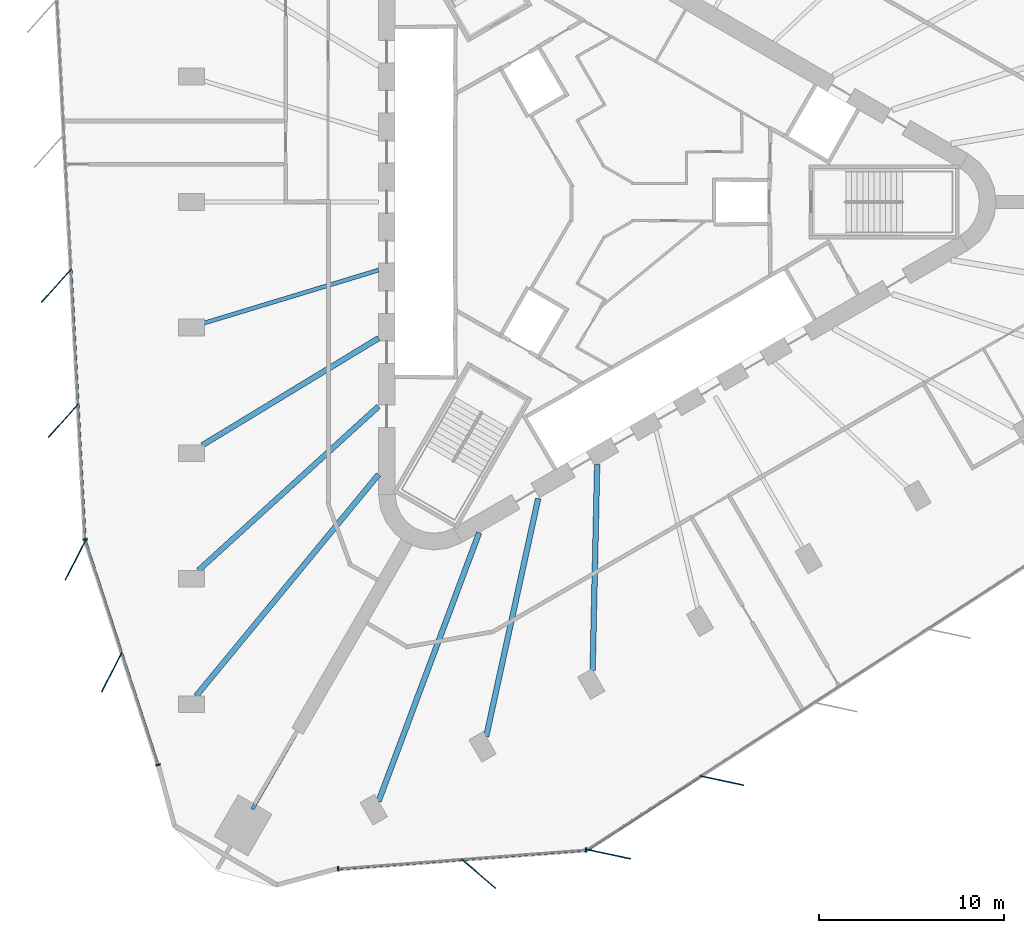
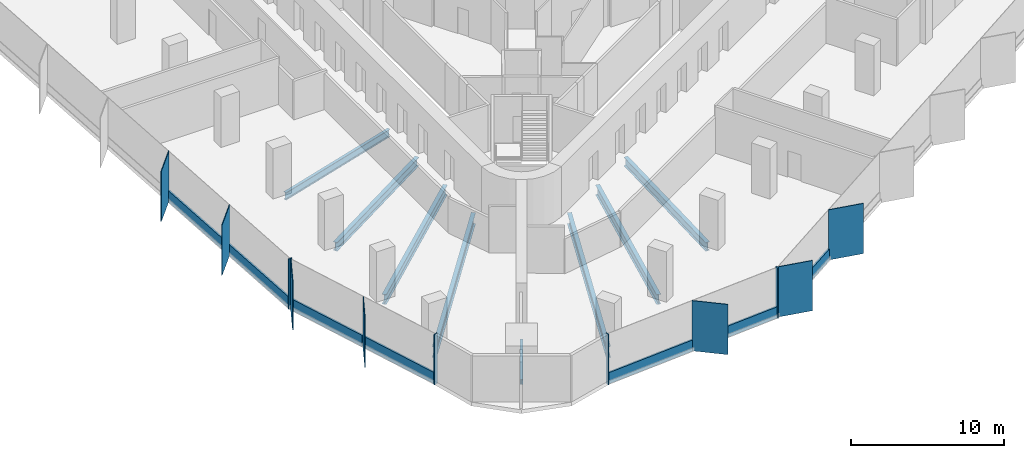
# One storey, part 2 of 14: 18 members, 8 beams, 4 elements without a shape of their own.
"""IFC4 building model written with IfcOpenShell, lengths in metres."""

from ifc_helpers import new_model, si_unit, direction, frame, origin, origin_2d, place, context, subcontext, project, spatial, rectangle, i_section, extrude, material, material_profile, profile_set, type_object, element, aggregate, save


model = new_model("IFC4")

# Units and contexts
model_context = context("Model", 3, precision=1e-05, world=origin(), true_north=direction((0.0, 1.0)))
body_context = subcontext(model_context, "Body", "Model", "MODEL_VIEW")
ifc_project = project(units=[si_unit("LENGTHUNIT", "METRE"), si_unit("AREAUNIT", "SQUARE_METRE"), si_unit("VOLUMEUNIT", "CUBIC_METRE"), si_unit("PLANEANGLEUNIT", "RADIAN"), si_unit("MASSUNIT", "GRAM", prefix="KILO")], contexts=[model_context])

# Site, building, storey
site_placement = place(None, origin())
site = spatial("IfcSite", under=ifc_project, at=site_placement, CompositionType="ELEMENT")
building_placement = place(site_placement, origin())
building = spatial("IfcBuilding", under=site, at=building_placement, Name="Tanit Gate Tower", CompositionType="ELEMENT")
storey_placement = place(building_placement, frame((0.0, 0.0, 205.199951171875)))
storey = spatial("IfcBuildingStorey", under=building, at=storey_placement, Name="L45", CompositionType="ELEMENT", Elevation=205.199951171875)

# Curtain wall, members
ifc_material_1 = material(Name="Aluminium bronze anodised and glass", Category="aluminium")
curtain_wall_type = type_object("IfcCurtainWallType", Name="Curtain wall typical mid", PredefinedType="NOTDEFINED", material=ifc_material_1)
curtain_wall_1_placement = place(storey_placement, origin())
curtain_wall_1 = element("IfcCurtainWall", 1, at=curtain_wall_1_placement, inside=storey, type_object=curtain_wall_type, Name="Curtain wall L45 W2", PredefinedType="NOTDEFINED")
ifc_material_2 = material(Name="Aluminium bronze anodised", Category="aluminium")
ifc_material_profile_1 = material_profile(ifc_material_2, rectangle(XDim=2.39990234375, YDim=0.055908203125, at=origin_2d()), Name="56x2400 bronze fin mullion")
ifc_profile_set_1 = profile_set([ifc_material_profile_1], Name="Aluminium bronze anodised")
member_type_1 = type_object("IfcMemberType", Name="FIN MULLION 56x2400 bronze", PredefinedType="MULLION", material=ifc_profile_set_1)
member_1_placement = place(storey_placement, frame((-29.47216796875, -4.514892578125, -0.300048828125), z_axis=(0.0, 0.0, 1.0), x_axis=(0.669378375715, 0.742921658135, 0.0)))
member_1 = element("IfcMember", 2, at=member_1_placement, type_object=member_type_1, Name="Fin mullion L45 W2.4", PredefinedType="MULLION", context=body_context, shape_type="SweptSolid", body=[
    extrude(rectangle(XDim=2.39990234375, YDim=0.055908203125, at=origin_2d()), origin(), (0.0, 0.0, 1.0), 4.0),
])
member_2_placement = place(storey_placement, frame((-29.09326171875, -11.791015625, -0.300048828125), z_axis=(0.0, 0.0, 1.0), x_axis=(0.669378375715, 0.742921658135, 0.0)))
member_2 = element("IfcMember", 3, at=member_2_placement, type_object=member_type_1, Name="Fin mullion L45 W2.5", PredefinedType="MULLION", context=body_context, shape_type="SweptSolid", body=[
    extrude(rectangle(XDim=2.39990234375, YDim=0.055908203125, at=origin_2d()), origin(), (0.0, 0.0, 1.0), 4.0),
])

curtain_wall_2_placement = place(storey_placement, origin())
curtain_wall_2 = element("IfcCurtainWall", 4, at=curtain_wall_2_placement, inside=storey, type_object=curtain_wall_type, Name="Curtain wall L45 W3", PredefinedType="NOTDEFINED")
member_3_placement = place(storey_placement, frame((-28.44677734375, -19.319091796875, -0.300048828125), z_axis=(0.0, 0.0, 1.0), x_axis=(0.454550571501, 0.890720931576, 0.0)))
member_3 = element("IfcMember", 5, at=member_3_placement, type_object=member_type_1, Name="Fin mullion L45 W3.1", PredefinedType="MULLION", context=body_context, shape_type="SweptSolid", body=[
    extrude(rectangle(XDim=2.39990234375, YDim=0.055908203125, at=origin_2d()), origin(), (0.0, 0.0, 1.0), 4.0),
])
member_4_placement = place(storey_placement, frame((-26.488525390625, -25.359375, -0.300048828125), z_axis=(0.0, 0.0, 1.0), x_axis=(0.454550571501, 0.890720931576, 0.0)))
member_4 = element("IfcMember", 6, at=member_4_placement, type_object=member_type_1, Name="Fin mullion L45 W3.2", PredefinedType="MULLION", context=body_context, shape_type="SweptSolid", body=[
    extrude(rectangle(XDim=2.39990234375, YDim=0.055908203125, at=origin_2d()), origin(), (0.0, 0.0, 1.0), 4.0),
])

# Curtain wall, member
curtain_wall_3_placement = place(storey_placement, origin())
curtain_wall_3 = element("IfcCurtainWall", 7, at=curtain_wall_3_placement, inside=storey, type_object=curtain_wall_type, Name="Curtain wall L45 SE1", PredefinedType="NOTDEFINED")
member_5_placement = place(storey_placement, frame((-6.70263671875, -36.218994140625, -0.300048828125), z_axis=(0.0, 0.0, 1.0), x_axis=(-0.758569780535, 0.651591810921, 0.0)))
member_5 = element("IfcMember", 8, at=member_5_placement, type_object=member_type_1, Name="Fin mullion L45 SE1.2", PredefinedType="MULLION", context=body_context, shape_type="SweptSolid", body=[
    extrude(rectangle(XDim=2.39990234375, YDim=0.055908203125, at=origin_2d()), origin(), (0.0, 0.0, 1.0), 4.0),
])

# Curtain wall, members
curtain_wall_4_placement = place(storey_placement, origin())
curtain_wall_4 = element("IfcCurtainWall", 9, at=curtain_wall_4_placement, inside=storey, type_object=curtain_wall_type, Name="Curtain wall L45 SE2", PredefinedType="NOTDEFINED")
member_6_placement = place(storey_placement, frame((0.310791015625, -35.16455078125, -0.300048828125), z_axis=(0.0, 0.0, 1.0), x_axis=(-0.978078216824, 0.208237849046, 0.0)))
member_6 = element("IfcMember", 10, at=member_6_placement, type_object=member_type_1, Name="Fin mullion L45 SE2.1", PredefinedType="MULLION", context=body_context, shape_type="SweptSolid", body=[
    extrude(rectangle(XDim=2.39990234375, YDim=0.055908203125, at=origin_2d()), origin(), (0.0, 0.0, 1.0), 4.0),
])
member_7_placement = place(storey_placement, frame((6.422607421875, -31.198486328125, -0.300048828125), z_axis=(0.0, 0.0, 1.0), x_axis=(-0.978078216824, 0.208237849046, 0.0)))
member_7 = element("IfcMember", 11, at=member_7_placement, type_object=member_type_1, Name="Fin mullion L45 SE2.2", PredefinedType="MULLION", context=body_context, shape_type="SweptSolid", body=[
    extrude(rectangle(XDim=2.39990234375, YDim=0.055908203125, at=origin_2d()), origin(), (0.0, 0.0, 1.0), 4.0),
])

# Member
ifc_material_3 = material(Name="Aluminium bronze anodised", Category="aluminium")
ifc_material_profile_2 = material_profile(ifc_material_3, rectangle(XDim=0.260009765625, YDim=0.080078125, at=origin_2d()), Name="80x260 bronze mullion")
ifc_profile_set_2 = profile_set([ifc_material_profile_2], Name="Aluminium bronze anodised")
member_type_2 = type_object("IfcMemberType", Name="Mullion 80x260 typical mid", PredefinedType="MULLION", material=ifc_profile_set_2)
member_8_placement = place(storey_placement, frame((-27.925537109375, -18.191162109375, -0.300048828125), z_axis=(0.0, 0.0, 1.0), x_axis=(0.998646931005, 0.05200295371, 0.0)))
member_8 = element("IfcMember", 12, at=member_8_placement, type_object=member_type_2, Name="Mullion L45 W2.6", PredefinedType="MULLION", context=body_context, shape_type="SweptSolid", body=[
    extrude(rectangle(XDim=0.260009765625, YDim=0.080078125, at=origin_2d()), origin(), (0.0, 0.0, 1.0), 4.0),
])

member_9_placement = place(storey_placement, frame((-23.994140625, -30.349853515625, -0.300048828125), z_axis=(0.0, 0.0, 1.0), x_axis=(0.951250602363, 0.308419019362, 0.0)))
member_9 = element("IfcMember", 13, at=member_9_placement, type_object=member_type_2, Name="Mullion L45 W3.3", PredefinedType="MULLION", context=body_context, shape_type="SweptSolid", body=[
    extrude(rectangle(XDim=0.260009765625, YDim=0.080078125, at=origin_2d()), origin(), (0.0, 0.0, 1.0), 4.0),
])

member_10_placement = place(storey_placement, frame((-14.278076171875, -35.957763671875, -0.300048828125), z_axis=(0.0, 0.0, 1.0), x_axis=(-0.075644847752, 0.997134823887, 0.0)))
member_10 = element("IfcMember", 14, at=member_10_placement, type_object=member_type_2, Name="Mullion L45 SE1.1", PredefinedType="MULLION", context=body_context, shape_type="SweptSolid", body=[
    extrude(rectangle(XDim=0.260009765625, YDim=0.080078125, at=origin_2d()), origin(), (0.0, 0.0, 1.0), 4.0),
])

member_11_placement = place(storey_placement, frame((-0.91552734375, -34.94384765625, -0.300048828125), z_axis=(0.0, 0.0, 1.0), x_axis=(-0.075644847752, 0.997134823887, 0.0)))
member_11 = element("IfcMember", 15, at=member_11_placement, type_object=member_type_2, Name="Mullion L45 SE1.3", PredefinedType="MULLION", context=body_context, shape_type="SweptSolid", body=[
    extrude(rectangle(XDim=0.260009765625, YDim=0.080078125, at=origin_2d()), origin(), (0.0, 0.0, 1.0), 4.0),
])

# Beams
ifc_material_4 = material(Name="Steel S355", Category="steel")
ifc_material_profile_3 = material_profile(ifc_material_4, i_section(OverallWidth=0.300048828125, OverallDepth=0.68994140625, WebThickness=0.014404296875, FlangeThickness=0.027099609375, FilletRadius=0.027099609375, at=origin_2d()), Name="HEA 700")
ifc_profile_set_3 = profile_set([ifc_material_profile_3], Name="Steel S355")
beam_type_1 = type_object("IfcBeamType", Name="RADIAL GIRDER HEA 700 S355", PredefinedType="BEAM", material=ifc_profile_set_3)
beam_1_placement = place(storey_placement, frame((-21.605712890625, -13.116943359375, -0.64501953125), z_axis=(0.854799691716, 0.518958078309, 0.0), x_axis=(-0.518958078309, 0.854799691716, 0.0)))
element("IfcBeam", 16, at=beam_1_placement, inside=storey, type_object=beam_type_1, Name="RADIAL GIRDER", PredefinedType="BEAM", context=body_context, shape_type="SweptSolid", body=[
    extrude(i_section(OverallWidth=0.300048828125, OverallDepth=0.68994140625, WebThickness=0.014404296875, FlangeThickness=0.027099609375, FilletRadius=0.027099609375, at=origin_2d()), origin(), (0.0, 0.0, 1.0), 11.117919921875),
])
beam_2_placement = place(storey_placement, frame((-0.556884765625, -25.269775390625, -0.64501953125), z_axis=(0.022024571196, 0.999757429712, 0.0), x_axis=(-0.999757429712, 0.022024571196, 0.0)))
element("IfcBeam", 17, at=beam_2_placement, inside=storey, type_object=beam_type_1, Name="RADIAL GIRDER", PredefinedType="BEAM", context=body_context, shape_type="SweptSolid", body=[
    extrude(i_section(OverallWidth=0.300048828125, OverallDepth=0.68994140625, WebThickness=0.014404296875, FlangeThickness=0.027099609375, FilletRadius=0.027099609375, at=origin_2d()), origin(), (0.0, 0.0, 1.0), 11.1181640625),
])
ifc_material_5 = material(Name="Steel S355", Category="steel")
ifc_material_profile_4 = material_profile(ifc_material_5, i_section(OverallWidth=0.300048828125, OverallDepth=0.7900390625, WebThickness=0.014892578125, FlangeThickness=0.028076171875, FilletRadius=0.030029296875, at=origin_2d()), Name="HEA 800")
ifc_profile_set_4 = profile_set([ifc_material_profile_4], Name="Steel S355")
beam_type_2 = type_object("IfcBeamType", Name="RADIAL GIRDER HEA 800 S355", PredefinedType="BEAM", material=ifc_profile_set_4)
beam_3_placement = place(storey_placement, frame((-21.811767578125, -19.86279296875, -0.695068359375), z_axis=(0.739370310624, 0.673299000273, 0.0), x_axis=(-0.673299000273, 0.739370310624, 0.0)))
element("IfcBeam", 18, at=beam_3_placement, inside=storey, type_object=beam_type_2, Name="RADIAL GIRDER", PredefinedType="BEAM", context=body_context, shape_type="SweptSolid", body=[
    extrude(i_section(OverallWidth=0.300048828125, OverallDepth=0.7900390625, WebThickness=0.014892578125, FlangeThickness=0.028076171875, FilletRadius=0.030029296875, at=origin_2d()), origin(), (0.0, 0.0, 1.0), 13.13232421875),
])
beam_4_placement = place(storey_placement, frame((-6.2958984375, -28.821044921875, -0.695068359375), z_axis=(0.213417442775, 0.976961102153, 0.0), x_axis=(-0.976961102153, 0.213417442775, 0.0)))
element("IfcBeam", 19, at=beam_4_placement, inside=storey, type_object=beam_type_2, Name="RADIAL GIRDER", PredefinedType="BEAM", context=body_context, shape_type="SweptSolid", body=[
    extrude(i_section(OverallWidth=0.300048828125, OverallDepth=0.7900390625, WebThickness=0.014892578125, FlangeThickness=0.028076171875, FilletRadius=0.030029296875, at=origin_2d()), origin(), (0.0, 0.0, 1.0), 13.132568359375),
])
ifc_material_6 = material(Name="Steel S355", Category="steel")
ifc_material_profile_5 = material_profile(ifc_material_6, i_section(OverallWidth=0.300048828125, OverallDepth=0.889892578125, WebThickness=0.01611328125, FlangeThickness=0.030029296875, FilletRadius=0.030029296875, at=origin_2d()), Name="HEA 900")
ifc_profile_set_5 = profile_set([ifc_material_profile_5], Name="Steel S355")
beam_type_3 = type_object("IfcBeamType", Name="RADIAL GIRDER HEA 900 S355", PredefinedType="BEAM", material=ifc_profile_set_5)
for number, where, z_axis, x_axis, name in (
    (20, (-21.935302734375, -26.6337890625, -0.744873046875), (0.635736575047, 0.771906087, 0.0), (-0.771906087, 0.635736575047, 0.0), "RADIAL GIRDER"),
    (21, (-12.09814453125, -32.3134765625, -0.744873046875), (0.350626951339, 0.936515211299, 0.0), (-0.936515211299, 0.350626951339, 0.0), "RADIAL GIRDER"),
):
    element("IfcBeam", number, at=place(storey_placement, frame(where, z_axis=z_axis, x_axis=x_axis)), inside=storey, type_object=beam_type_3, Name=name, PredefinedType="BEAM", context=body_context, shape_type="SweptSolid", body=[
        extrude(i_section(OverallWidth=0.300048828125, OverallDepth=0.889892578125, WebThickness=0.01611328125, FlangeThickness=0.030029296875, FilletRadius=0.030029296875, at=origin_2d()), origin(), (0.0, 0.0, 1.0), 15.467529296875),
    ])
ifc_material_7 = material(Name="Steel S355", Category="steel")
ifc_material_profile_6 = material_profile(ifc_material_7, i_section(OverallWidth=0.179931640625, OverallDepth=0.39990234375, WebThickness=0.008544921875, FlangeThickness=0.013427734375, FilletRadius=0.02099609375, at=origin_2d()), Name="IPE 400")
ifc_profile_set_6 = profile_set([ifc_material_profile_6], Name="Steel S355")
beam_type_4 = type_object("IfcBeamType", Name="RADIAL GIRDER IPE 400 S355", PredefinedType="BEAM", material=ifc_profile_set_6)
beam_5_placement = place(storey_placement, frame((-18.9033203125, -32.74169921875, -0.5), z_axis=(0.499984536904, 0.866034331223, 0.0), x_axis=(-0.866034331223, 0.499984536904, 0.0)))
element("IfcBeam", 22, at=beam_5_placement, inside=storey, type_object=beam_type_4, Name="RADIAL GIRDER", PredefinedType="BEAM", context=body_context, shape_type="SweptSolid", body=[
    extrude(i_section(OverallWidth=0.179931640625, OverallDepth=0.39990234375, WebThickness=0.008544921875, FlangeThickness=0.013427734375, FilletRadius=0.02099609375, at=origin_2d()), origin(), (0.0, 0.0, 1.0), 4.650146484375),
])
ifc_material_8 = material(Name="Steel S355", Category="steel")
ifc_material_profile_7 = material_profile(ifc_material_8, i_section(OverallWidth=0.219970703125, OverallDepth=0.60009765625, WebThickness=0.011962890625, FlangeThickness=0.01904296875, FilletRadius=0.02392578125, at=origin_2d()), Name="IPE 600")
ifc_profile_set_7 = profile_set([ifc_material_profile_7], Name="Steel S355")
beam_type_5 = type_object("IfcBeamType", Name="RADIAL GIRDER IPE 600 S355", PredefinedType="BEAM", material=ifc_profile_set_7)
beam_6_placement = place(storey_placement, frame((-21.605712890625, -6.55859375, -0.599853515625), z_axis=(0.956881430709, 0.290478790215, 0.0), x_axis=(-0.290478790215, 0.956881430709, 0.0)))
element("IfcBeam", 23, at=beam_6_placement, inside=storey, type_object=beam_type_5, Name="RADIAL GIRDER", PredefinedType="BEAM", context=body_context, shape_type="SweptSolid", body=[
    extrude(i_section(OverallWidth=0.219970703125, OverallDepth=0.60009765625, WebThickness=0.011962890625, FlangeThickness=0.01904296875, FilletRadius=0.02392578125, at=origin_2d()), origin(), (0.0, 0.0, 1.0), 9.931884765625),
])

# Member
ifc_material_9 = material(Name="Aluminium bronze anodised", Category="aluminium")
ifc_material_profile_8 = material_profile(ifc_material_9, rectangle(XDim=0.139892578125, YDim=0.89990234375, at=origin_2d()), Name="140x900 bronze transom")
ifc_profile_set_8 = profile_set([ifc_material_profile_8], Name="Aluminium bronze anodised")
member_type_3 = type_object("IfcMemberType", Name="Transom 140x900 typical mid", PredefinedType="USERDEFINED", material=ifc_profile_set_8)
member_12_placement = place(storey_placement, frame((-28.68115234375, -3.67919921875, 0.150146484375), z_axis=(0.052007554582, -0.998646691411, 0.0), x_axis=(0.998646691411, 0.052007554582, 0.0)))
member_12 = element("IfcMember", 24, at=member_12_placement, type_object=member_type_3, Name="Transom L45 W2.4", ObjectType="TRANSOM", PredefinedType="USERDEFINED", context=body_context, shape_type="SweptSolid", body=[
    extrude(rectangle(XDim=0.139892578125, YDim=0.89990234375, at=origin_2d()), origin(), (0.0, 0.0, 1.0), 7.205810546875),
])

member_13_placement = place(storey_placement, frame((-28.30224609375, -10.955078125, 0.150146484375), z_axis=(0.052005794951, -0.998646783048, 0.0), x_axis=(0.998646783048, 0.052005794951, 0.0)))
member_13 = element("IfcMember", 25, at=member_13_placement, type_object=member_type_3, Name="Transom L45 W2.5", ObjectType="TRANSOM", PredefinedType="USERDEFINED", context=body_context, shape_type="SweptSolid", body=[
    extrude(rectangle(XDim=0.139892578125, YDim=0.89990234375, at=origin_2d()), origin(), (0.0, 0.0, 1.0), 7.2060546875),
])

aggregate(curtain_wall_1, [member_1, member_2, member_8, member_12, member_13])

member_14_placement = place(storey_placement, frame((-27.898681640625, -18.30712890625, 0.150146484375), z_axis=(0.308437087758, -0.951244743952, 0.0), x_axis=(0.951244743952, 0.308437087758, 0.0)))
member_14 = element("IfcMember", 26, at=member_14_placement, type_object=member_type_3, Name="Transom L45 W3.1", ObjectType="TRANSOM", PredefinedType="USERDEFINED", context=body_context, shape_type="SweptSolid", body=[
    extrude(rectangle(XDim=0.139892578125, YDim=0.89990234375, at=origin_2d()), origin(), (0.0, 0.0, 1.0), 6.269775390625),
])

member_15_placement = place(storey_placement, frame((-25.940185546875, -24.347412109375, 0.150146484375), z_axis=(0.308390429094, -0.951259871562, 0.0), x_axis=(0.951259871562, 0.308390429094, 0.0)))
member_15 = element("IfcMember", 27, at=member_15_placement, type_object=member_type_3, Name="Transom L45 W3.2", ObjectType="TRANSOM", PredefinedType="USERDEFINED", context=body_context, shape_type="SweptSolid", body=[
    extrude(rectangle(XDim=0.139892578125, YDim=0.89990234375, at=origin_2d()), origin(), (0.0, 0.0, 1.0), 6.27001953125),
])

aggregate(curtain_wall_2, [member_3, member_4, member_9, member_14, member_15])

member_16_placement = place(storey_placement, frame((-14.238037109375, -35.95458984375, 0.150146484375), z_axis=(0.997135486421, 0.07563611386, 0.0), x_axis=(-0.07563611386, 0.997135486421, 0.0)))
member_16 = element("IfcMember", 28, at=member_16_placement, type_object=member_type_3, Name="Transom L45 SE1.1", ObjectType="TRANSOM", PredefinedType="USERDEFINED", context=body_context, shape_type="SweptSolid", body=[
    extrude(rectangle(XDim=0.139892578125, YDim=0.89990234375, at=origin_2d()), origin(), (0.0, 0.0, 1.0), 6.620361328125),
])

member_17_placement = place(storey_placement, frame((-7.556884765625, -35.44775390625, 0.150146484375), z_axis=(0.99713569738, 0.075633332667, 0.0), x_axis=(-0.075633332667, 0.99713569738, 0.0)))
member_17 = element("IfcMember", 29, at=member_17_placement, type_object=member_type_3, Name="Transom L45 SE1.2", ObjectType="TRANSOM", PredefinedType="USERDEFINED", context=body_context, shape_type="SweptSolid", body=[
    extrude(rectangle(XDim=0.139892578125, YDim=0.89990234375, at=origin_2d()), origin(), (0.0, 0.0, 1.0), 6.62060546875),
])

aggregate(curtain_wall_3, [member_10, member_5, member_11, member_16, member_17])

member_18_placement = place(storey_placement, frame((-0.80859375, -34.8974609375, 0.150146484375), z_axis=(0.83885131888, 0.544360601819, 0.0), x_axis=(-0.544360601819, 0.83885131888, 0.0)))
member_18 = element("IfcMember", 30, at=member_18_placement, type_object=member_type_3, Name="Transom L45 SE2.1", ObjectType="TRANSOM", PredefinedType="USERDEFINED", context=body_context, shape_type="SweptSolid", body=[
    extrude(rectangle(XDim=0.139892578125, YDim=0.89990234375, at=origin_2d()), origin(), (0.0, 0.0, 1.0), 7.205810546875),
])

aggregate(curtain_wall_4, [member_6, member_7, member_18])

save(model, "model.ifc")
